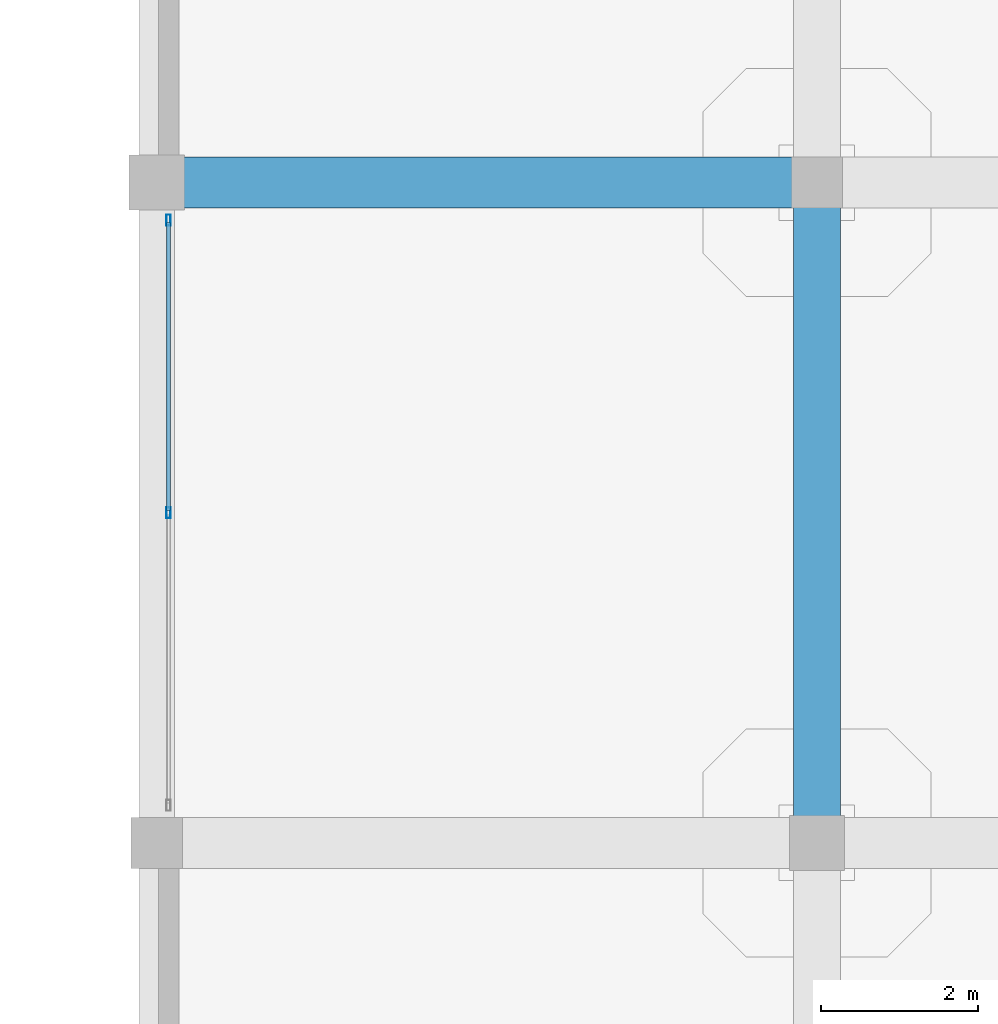
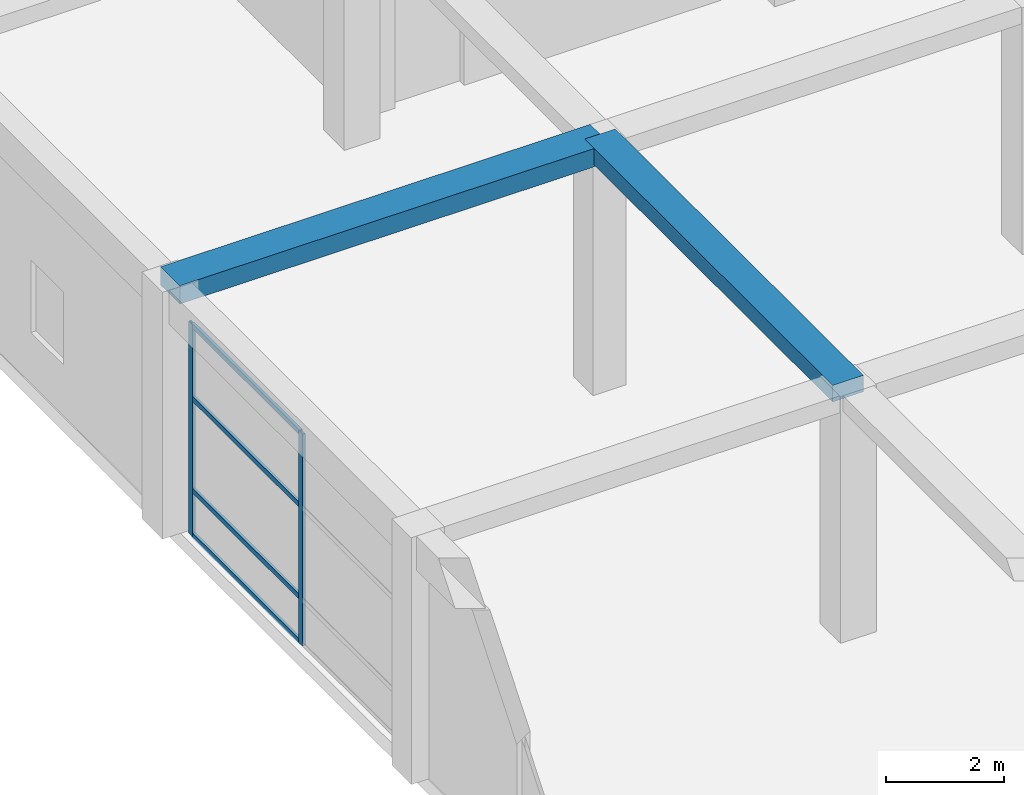
# One storey, part 20 of 95: 6 members, 2 beams, 1 element without a shape of its own.
"""IFC4 building model written with IfcOpenShell, lengths in metres."""

from ifc_helpers import new_model, si_unit, direction, frame, origin, origin_2d, place, context, subcontext, project, spatial, rectangle, hollow_rectangle, extrude, material, material_profile, profile_set, type_object, element, aggregate, save


model = new_model("IFC4")

# Units and contexts
model_context = context("Model", 3, precision=1e-05, world=origin(), true_north=direction((0.0, 1.0)))
body_context = subcontext(model_context, "Body", "Model", "MODEL_VIEW")
ifc_project = project(units=[si_unit("LENGTHUNIT", "METRE"), si_unit("AREAUNIT", "SQUARE_METRE"), si_unit("VOLUMEUNIT", "CUBIC_METRE"), si_unit("PLANEANGLEUNIT", "RADIAN"), si_unit("MASSUNIT", "GRAM", prefix="KILO")], contexts=[model_context])

# Site, building, storey
site_placement = place(None, origin())
site = spatial("IfcSite", under=ifc_project, at=site_placement, CompositionType="ELEMENT")
building_placement = place(site_placement, origin())
building = spatial("IfcBuilding", under=site, at=building_placement, Name="Almacenes y Pasaje Nevantli", CompositionType="ELEMENT")
storey_placement = place(building_placement, frame((0.0, 0.0, 11.39990234375)))
storey = spatial("IfcBuildingStorey", under=building, at=storey_placement, Name="L03", CompositionType="ELEMENT", Elevation=11.39990234375)

# Beams
ifc_material_1 = material(Name="Concrete C35/45", Category="concrete")
ifc_material_profile_1 = material_profile(ifc_material_1, rectangle(XDim=0.60009765625, YDim=0.340087890625, at=origin_2d()), Name="RC-BM-600x340")
ifc_profile_set_1 = profile_set([ifc_material_profile_1], Name="Concrete C35/45")
beam_type_1 = type_object("IfcBeamType", Name="BM-RC-600x340", PredefinedType="BEAM", material=ifc_profile_set_1)
beam_1_placement = place(storey_placement, frame((8.39990234375, 42.0, 4.93017578125), z_axis=(0.0, 1.0, 0.0), x_axis=(-1.0, 0.0, 0.0)))
element("IfcBeam", 1, at=beam_1_placement, inside=storey, type_object=beam_type_1, Name="L03 North-South Reinforced Concrete Beam #2493", PredefinedType="BEAM", context=body_context, shape_type="SweptSolid", body=[
    extrude(rectangle(XDim=0.60009765625, YDim=0.340087890625, at=origin_2d()), origin(), (0.0, 0.0, 1.0), 8.39990234375),
])
ifc_material_2 = material(Name="Concrete C35/45", Category="concrete")
ifc_material_profile_2 = material_profile(ifc_material_2, rectangle(XDim=0.64990234375, YDim=0.3798828125, at=origin_2d()), Name="RC-BM-650x380")
ifc_profile_set_2 = profile_set([ifc_material_profile_2], Name="Concrete C35/45")
beam_type_2 = type_object("IfcBeamType", Name="BM-RC-650x380", PredefinedType="BEAM", material=ifc_profile_set_2)
beam_2_placement = place(storey_placement, frame((0.0, 50.39990234375, 4.91015625), z_axis=(1.0, 0.0, 0.0), x_axis=(0.0, 1.0, 0.0)))
element("IfcBeam", 2, at=beam_2_placement, inside=storey, type_object=beam_type_2, Name="L03 East-West Reinforced Concrete Beam #2333", PredefinedType="BEAM", context=body_context, shape_type="SweptSolid", body=[
    extrude(rectangle(XDim=0.64990234375, YDim=0.3798828125, at=origin_2d()), origin(), (0.0, 0.0, 1.0), 8.39990234375),
])

# Curtain wall, members
ifc_material_3 = material(Name="Thermally Broken Aluminium and Low-E Glass", Category="aluminium")
curtain_wall_type = type_object("IfcCurtainWallType", Name="CW-UNIT-PODIUM", PredefinedType="USERDEFINED", material=ifc_material_3)
curtain_wall_placement = place(storey_placement, origin())
curtain_wall = element("IfcCurtainWall", 3, at=curtain_wall_placement, inside=storey, type_object=curtain_wall_type, Name="L03 West Avenue Unitized Curtain Wall Bay 6", ObjectType="UNITIZED CURTAIN WALL", PredefinedType="USERDEFINED")
ifc_material_4 = material(Name="Thermally Broken Anodized Aluminium", Category="aluminium")
ifc_material_profile_3 = material_profile(ifc_material_4, hollow_rectangle(XDim=0.054931640625, YDim=0.139892578125, WallThickness=0.00341796875, at=origin_2d()), Name="ALU-MUL-55x140")
ifc_profile_set_3 = profile_set([ifc_material_profile_3], Name="Thermally Broken Anodized Aluminium")
member_type_1 = type_object("IfcMemberType", Name="CW-MUL-160", PredefinedType="MULLION", material=ifc_profile_set_3)
member_1_placement = place(storey_placement, frame((0.14990234375, 46.199951171875, 0.0), z_axis=(0.0, 0.0, 1.0), x_axis=(-1.0, 0.0, 0.0)))
member_1 = element("IfcMember", 4, at=member_1_placement, type_object=member_type_1, Name="CW-L03-049 mullion 2", PredefinedType="MULLION", context=body_context, shape_type="SweptSolid", body=[
    extrude(hollow_rectangle(XDim=0.054931640625, YDim=0.139892578125, WallThickness=0.00341796875, at=origin_2d()), origin(), (0.0, 0.0, 1.0), 4.380126953125),
])
member_2_placement = place(storey_placement, frame((0.14990234375, 49.922607421875, 0.0), z_axis=(0.0, 0.0, 1.0), x_axis=(-1.0, 0.0, 0.0)))
member_2 = element("IfcMember", 5, at=member_2_placement, type_object=member_type_1, Name="CW-L03-049 mullion 3", PredefinedType="MULLION", context=body_context, shape_type="SweptSolid", body=[
    extrude(hollow_rectangle(XDim=0.054931640625, YDim=0.139892578125, WallThickness=0.00341796875, at=origin_2d()), origin(), (0.0, 0.0, 1.0), 4.380126953125),
])
ifc_material_5 = material(Name="Thermally Broken Anodized Aluminium", Category="aluminium")
ifc_material_profile_4 = material_profile(ifc_material_5, hollow_rectangle(XDim=0.054931640625, YDim=0.10498046875, WallThickness=0.003173828125, at=origin_2d()), Name="ALU-TRN-55x105")
ifc_profile_set_4 = profile_set([ifc_material_profile_4], Name="Thermally Broken Anodized Aluminium")
member_type_2 = type_object("IfcMemberType", Name="CW-TRN-120", PredefinedType="USERDEFINED", material=ifc_profile_set_4)
member_3_placement = place(storey_placement, frame((0.14990234375, 46.2275390625, 0.027587890625), z_axis=(0.0, 1.0, 0.0), x_axis=(-1.0, 0.0, 0.0)))
member_3 = element("IfcMember", 6, at=member_3_placement, type_object=member_type_2, Name="CW-L03-049 transom 2.1", ObjectType="TRANSOM", PredefinedType="USERDEFINED", context=body_context, shape_type="SweptSolid", body=[
    extrude(hollow_rectangle(XDim=0.054931640625, YDim=0.10498046875, WallThickness=0.003173828125, at=origin_2d()), origin(), (0.0, 0.0, 1.0), 3.66748046875),
])
member_4_placement = place(storey_placement, frame((0.14990234375, 46.2275390625, 0.9501953125), z_axis=(0.0, 1.0, 0.0), x_axis=(-1.0, 0.0, 0.0)))
member_4 = element("IfcMember", 7, at=member_4_placement, type_object=member_type_2, Name="CW-L03-049 transom 2.2", ObjectType="TRANSOM", PredefinedType="USERDEFINED", context=body_context, shape_type="SweptSolid", body=[
    extrude(hollow_rectangle(XDim=0.054931640625, YDim=0.10498046875, WallThickness=0.003173828125, at=origin_2d()), origin(), (0.0, 0.0, 1.0), 3.66748046875),
])
member_5_placement = place(storey_placement, frame((0.14990234375, 46.2275390625, 2.85009765625), z_axis=(0.0, 1.0, 0.0), x_axis=(-1.0, 0.0, 0.0)))
member_5 = element("IfcMember", 8, at=member_5_placement, type_object=member_type_2, Name="CW-L03-049 transom 2.3", ObjectType="TRANSOM", PredefinedType="USERDEFINED", context=body_context, shape_type="SweptSolid", body=[
    extrude(hollow_rectangle(XDim=0.054931640625, YDim=0.10498046875, WallThickness=0.003173828125, at=origin_2d()), origin(), (0.0, 0.0, 1.0), 3.66748046875),
])
member_6_placement = place(storey_placement, frame((0.14990234375, 46.2275390625, 4.3525390625), z_axis=(0.0, 1.0, 0.0), x_axis=(-1.0, 0.0, 0.0)))
member_6 = element("IfcMember", 9, at=member_6_placement, type_object=member_type_2, Name="CW-L03-049 transom 2.4", ObjectType="TRANSOM", PredefinedType="USERDEFINED", context=body_context, shape_type="SweptSolid", body=[
    extrude(hollow_rectangle(XDim=0.054931640625, YDim=0.10498046875, WallThickness=0.003173828125, at=origin_2d()), origin(), (0.0, 0.0, 1.0), 3.66748046875),
])
aggregate(curtain_wall, [member_1, member_2, member_3, member_4, member_5, member_6])

save(model, "model.ifc")
